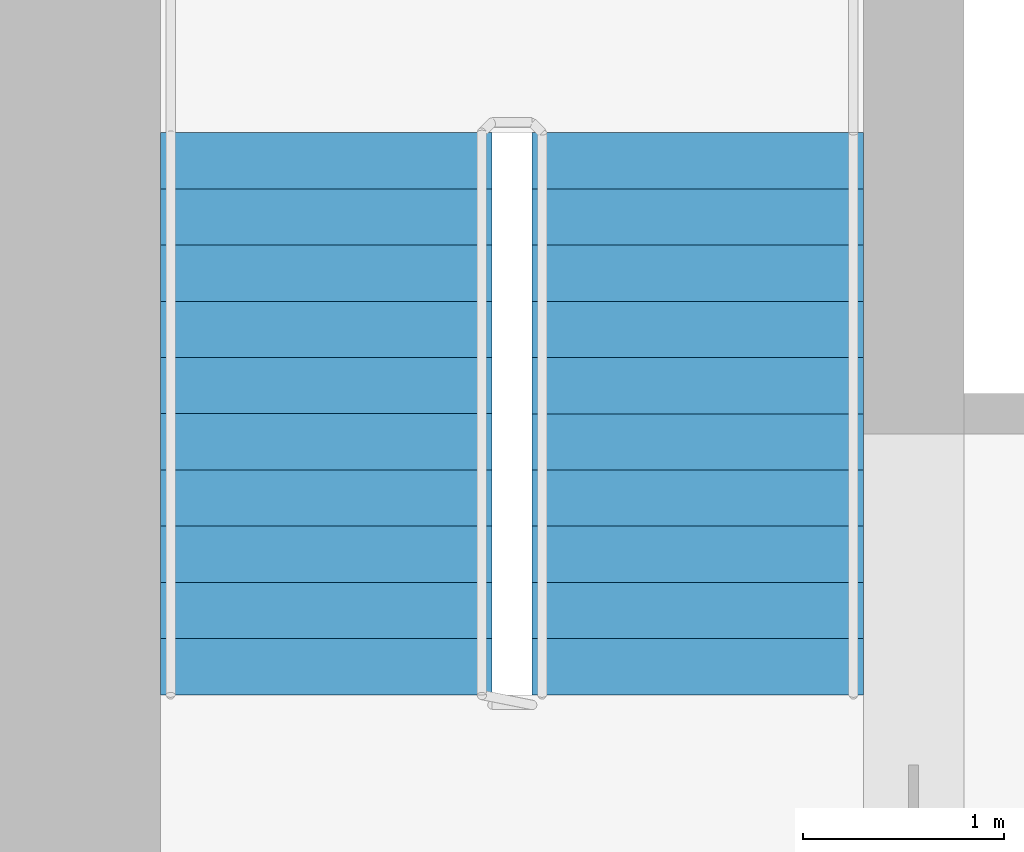
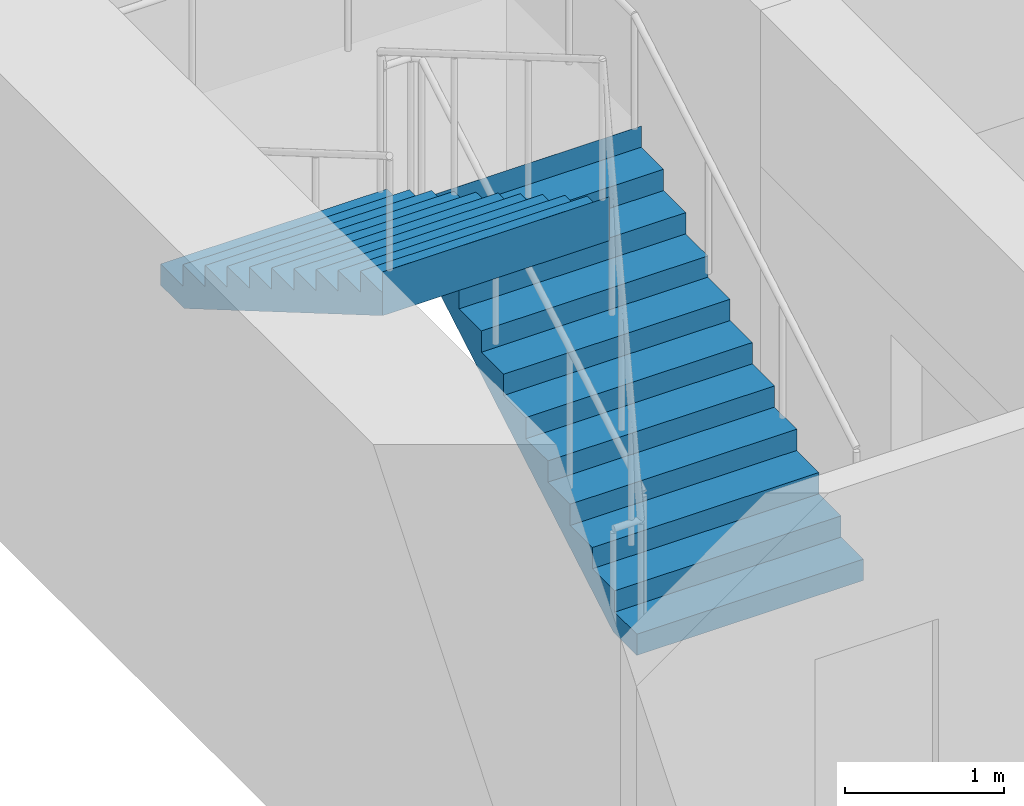
# One storey, part 13 of 14: 2 stair flights, 1 element without a shape of its own.
"""IFC4 building model written with IfcOpenShell, lengths in metres."""

from ifc_helpers import new_model, si_unit, direction, frame, origin, place, context, subcontext, project, spatial, polyline, outline, extrude, material, type_object, element, aggregate, save


model = new_model("IFC4")

# Units and contexts
model_context = context("Model", 3, precision=1e-05, world=origin(), true_north=direction((0.0, 1.0)))
body_context = subcontext(model_context, "Body", "Model", "MODEL_VIEW")
ifc_project = project(units=[si_unit("LENGTHUNIT", "METRE"), si_unit("AREAUNIT", "SQUARE_METRE"), si_unit("VOLUMEUNIT", "CUBIC_METRE"), si_unit("PLANEANGLEUNIT", "RADIAN"), si_unit("MASSUNIT", "GRAM", prefix="KILO")], contexts=[model_context])

# Site, building, storey
site_placement = place(None, origin())
site = spatial("IfcSite", under=ifc_project, at=site_placement, CompositionType="ELEMENT")
building_placement = place(site_placement, origin())
building = spatial("IfcBuilding", under=site, at=building_placement, Name="Tamorin Gate", CompositionType="ELEMENT")
storey_placement = place(building_placement, frame((0.0, 0.0, 41.199951171875)))
storey = spatial("IfcBuildingStorey", under=building, at=storey_placement, Name="L08", CompositionType="ELEMENT", Elevation=41.199951171875)

# Stair, stair flights
ifc_material = material(Name="Concrete C40/50", Category="concrete")
stair_type = type_object("IfcStairType", Name="Exit stair", PredefinedType="HALF_TURN_STAIR", material=ifc_material)
stair_placement = place(storey_placement, origin())
stair = element("IfcStair", 1, at=stair_placement, inside=storey, type_object=stair_type, Name="L08 stair ST2", PredefinedType="HALF_TURN_STAIR")
stair_flight_type = type_object("IfcStairFlightType", Name="Exit stair flight", PredefinedType="STRAIGHT", material=ifc_material)
stair_flight_1_placement = place(storey_placement, frame((33.675048828125, 77.0, 0.0), z_axis=(0.0, 0.0, 1.0), x_axis=(0.0, 1.0, 0.0)))
stair_flight_1 = element("IfcStairFlight", 2, at=stair_flight_1_placement, type_object=stair_flight_type, Name="ST2 flight 1", NumberOfRisers=11, NumberOfTreads=10, PredefinedType="STRAIGHT", RiserHeight=0.163636364, TreadLength=0.28, context=body_context, shape_type="SweptSolid", body=[
    extrude(outline(polyline([(-0.00048828125, 0.0), (-0.00048828125, 0.001708984375), (-0.00048828125, 0.003173828125), (-0.00048828125, 0.0048828125), (-0.00048828125, 0.006591796875), (-0.00048828125, 0.008056640625), (-0.00048828125, 0.009765625), (-0.00048828125, 0.01123046875), (-0.00048828125, 0.012939453125), (-0.00048828125, 0.0146484375), (-0.00048828125, 0.01611328125), (-0.00048828125, 0.017822265625), (-0.00048828125, 0.01953125), (-0.00048828125, 0.02099609375), (-0.00048828125, 0.022705078125), (-0.00048828125, 0.0244140625), (-0.00048828125, 0.02587890625), (-0.00048828125, 0.027587890625), (-0.00048828125, 0.029052734375), (-0.00048828125, 0.03076171875), (-0.00048828125, 0.032470703125), (-0.00048828125, 0.033935546875), (-0.00048828125, 0.03564453125), (-0.00048828125, 0.037353515625), (-0.00048828125, 0.038818359375), (-0.00048828125, 0.04052734375), (-0.00048828125, 0.042236328125), (-0.00048828125, 0.043701171875), (-0.00048828125, 0.04541015625), (-0.00048828125, 0.046875), (-0.00048828125, 0.048583984375), (-0.00048828125, 0.05029296875), (-0.00048828125, 0.0517578125), (-0.00048828125, 0.053466796875), (-0.00048828125, 0.05517578125), (-0.00048828125, 0.056640625), (-0.00048828125, 0.058349609375), (-0.00048828125, 0.06005859375), (-0.00048828125, 0.0615234375), (-0.00048828125, 0.063232421875), (-0.00048828125, 0.064697265625), (-0.00048828125, 0.06640625), (-0.00048828125, 0.068115234375), (-0.00048828125, 0.069580078125), (-0.00048828125, 0.0712890625), (-0.00048828125, 0.072998046875), (-0.00048828125, 0.074462890625), (-0.00048828125, 0.076171875), (-0.00048828125, 0.077880859375), (-0.00048828125, 0.079345703125), (-0.00048828125, 0.0810546875), (-0.00048828125, 0.08251953125), (-0.00048828125, 0.084228515625), (-0.00048828125, 0.0859375), (-0.00048828125, 0.08740234375), (-0.00048828125, 0.089111328125), (-0.00048828125, 0.0908203125), (-0.00048828125, 0.09228515625), (-0.00048828125, 0.093994140625), (-0.00048828125, 0.095703125), (-0.00048828125, 0.09716796875), (-0.00048828125, 0.098876953125), (-0.00048828125, 0.100341796875), (-0.00048828125, 0.10205078125), (-0.00048828125, 0.103759765625), (-0.00048828125, 0.105224609375), (-0.00048828125, 0.10693359375), (-0.00048828125, 0.108642578125), (-0.00048828125, 0.110107421875), (-0.00048828125, 0.11181640625), (-0.00048828125, 0.113525390625), (-0.00048828125, 0.114990234375), (-0.00048828125, 0.11669921875), (-0.00048828125, 0.1181640625), (-0.00048828125, 0.119873046875), (-0.00048828125, 0.12158203125), (-0.00048828125, 0.123046875), (-0.00048828125, 0.124755859375), (-0.00048828125, 0.12646484375), (-0.00048828125, 0.1279296875), (-0.00048828125, 0.129638671875), (-0.00048828125, 0.13134765625), (-0.00048828125, 0.1328125), (-0.00048828125, 0.134521484375), (-0.00048828125, 0.135986328125), (-0.00048828125, 0.1376953125), (-0.00048828125, 0.139404296875), (-0.00048828125, 0.140869140625), (-0.00048828125, 0.142578125), (-0.00048828125, 0.144287109375), (-0.00048828125, 0.145751953125), (-0.00048828125, 0.1474609375), (-0.00048828125, 0.149169921875), (-0.00048828125, 0.150634765625), (-0.00048828125, 0.15234375), (-0.00048828125, 0.15380859375), (-0.00048828125, 0.155517578125), (-0.00048828125, 0.1572265625), (-0.00048828125, 0.15869140625), (-0.00048828125, 0.160400390625), (-0.00048828125, 0.162109375), (-0.00048828125, 0.16357421875), (0.280029296875, 0.16357421875), (0.280029296875, 0.327392578125), (0.56005859375, 0.327392578125), (0.56005859375, 0.490966796875), (0.840087890625, 0.490966796875), (0.840087890625, 0.654541015625), (1.1201171875, 0.654541015625), (1.1201171875, 0.818115234375), (1.39990234375, 0.818115234375), (1.39990234375, 0.98193359375), (1.679931640625, 0.98193359375), (1.679931640625, 1.1455078125), (1.9599609375, 1.1455078125), (1.9599609375, 1.30908203125), (2.239990234375, 1.30908203125), (2.239990234375, 1.47265625), (2.52001953125, 1.47265625), (2.52001953125, 1.636474609375), (2.800048828125, 1.636474609375), (2.800048828125, 1.800048828125), (2.800537109375, 1.800048828125), (2.800537109375, 1.796630859375), (2.800537109375, 1.793212890625), (2.800537109375, 1.7900390625), (2.800537109375, 1.78662109375), (2.800537109375, 1.783203125), (2.800537109375, 1.780029296875), (2.800537109375, 1.776611328125), (2.800537109375, 1.773193359375), (2.800537109375, 1.77001953125), (2.800537109375, 1.7666015625), (2.800537109375, 1.76318359375), (2.800537109375, 1.760009765625), (2.800537109375, 1.756591796875), (2.800537109375, 1.753173828125), (2.800537109375, 1.75), (2.800537109375, 1.74658203125), (2.800537109375, 1.7431640625), (2.800537109375, 1.739990234375), (2.800537109375, 1.736572265625), (2.800537109375, 1.733154296875), (2.800537109375, 1.72998046875), (2.800537109375, 1.7265625), (2.800537109375, 1.72314453125), (2.800537109375, 1.719970703125), (2.800537109375, 1.716552734375), (2.800537109375, 1.713134765625), (2.800537109375, 1.7099609375), (2.800537109375, 1.70654296875), (2.800537109375, 1.703125), (2.800537109375, 1.69970703125), (2.800537109375, 1.696533203125), (2.800537109375, 1.693115234375), (2.800537109375, 1.689697265625), (2.800537109375, 1.6865234375), (2.800537109375, 1.68310546875), (2.800537109375, 1.6796875), (2.800537109375, 1.676513671875), (2.800537109375, 1.673095703125), (2.800537109375, 1.669677734375), (2.800537109375, 1.66650390625), (2.800537109375, 1.6630859375), (2.800537109375, 1.65966796875), (2.800537109375, 1.656494140625), (2.800537109375, 1.653076171875), (2.800537109375, 1.649658203125), (2.800537109375, 1.646484375), (2.800537109375, 1.64306640625), (2.800537109375, 1.6396484375), (2.800537109375, 1.636474609375), (2.800537109375, 1.633056640625), (2.800537109375, 1.629638671875), (2.800537109375, 1.62646484375), (2.800537109375, 1.623046875), (2.800537109375, 1.61962890625), (2.800537109375, 1.616455078125), (2.800537109375, 1.613037109375), (2.800537109375, 1.609619140625), (2.800537109375, 1.6064453125), (2.800537109375, 1.60302734375), (2.800537109375, 1.599609375), (2.800537109375, 1.59619140625), (2.800537109375, 1.593017578125), (2.800537109375, 1.589599609375), (2.800537109375, 1.586181640625), (2.800537109375, 1.5830078125), (2.800537109375, 1.57958984375), (2.800537109375, 1.576171875), (2.800537109375, 1.572998046875), (2.800537109375, 1.569580078125), (2.800537109375, 1.566162109375), (2.800537109375, 1.56298828125), (2.800537109375, 1.5595703125), (2.800537109375, 1.55615234375), (2.800537109375, 1.552978515625), (2.800537109375, 1.549560546875), (2.800537109375, 1.546142578125), (2.800537109375, 1.54296875), (2.800537109375, 1.53955078125), (2.800537109375, 1.5361328125), (2.800537109375, 1.532958984375), (2.800537109375, 1.529541015625), (2.800537109375, 1.526123046875), (2.800537109375, 1.52294921875), (2.800537109375, 1.51953125), (2.800537109375, 1.51611328125), (2.800537109375, 1.512939453125), (2.800537109375, 1.509521484375), (2.800537109375, 1.506103515625), (2.800537109375, 1.5029296875), (2.800537109375, 1.49951171875), (2.800537109375, 1.49609375), (2.800537109375, 1.49267578125), (2.800537109375, 1.489501953125), (2.800537109375, 1.486083984375), (2.800537109375, 1.482666015625), (2.800537109375, 1.4794921875), (2.800537109375, 1.47607421875), (2.800537109375, 1.47265625), (2.800537109375, 1.469482421875), (2.800537109375, 1.466064453125), (2.800537109375, 1.462646484375), (2.800048828125, 1.462646484375), (0.297119140625, 0.0), (-0.00048828125, 0.0)])), frame((0.0, 0.824951171875, 0.0), z_axis=(0.0, -1.0, 0.0), x_axis=(1.0, 0.0, 0.0)), (0.0, 0.0, 1.0), 1.64990234375),
])
stair_flight_2_placement = place(storey_placement, frame((31.824951171875, 79.800048828125, 1.800048828125), z_axis=(0.0, 0.0, 1.0), x_axis=(0.0, -1.0, 0.0)))
stair_flight_2 = element("IfcStairFlight", 3, at=stair_flight_2_placement, type_object=stair_flight_type, Name="ST2 flight 2", NumberOfRisers=11, NumberOfTreads=10, PredefinedType="STRAIGHT", RiserHeight=0.163636364, TreadLength=0.28, context=body_context, shape_type="SweptSolid", body=[
    extrude(outline(polyline([(-0.00048828125, 0.0), (-0.00048828125, 0.001708984375), (-0.00048828125, 0.003173828125), (-0.00048828125, 0.0048828125), (-0.00048828125, 0.006591796875), (-0.00048828125, 0.008056640625), (-0.00048828125, 0.009765625), (-0.00048828125, 0.01123046875), (-0.00048828125, 0.012939453125), (-0.00048828125, 0.0146484375), (-0.00048828125, 0.01611328125), (-0.00048828125, 0.017822265625), (-0.00048828125, 0.01953125), (-0.00048828125, 0.02099609375), (-0.00048828125, 0.022705078125), (-0.00048828125, 0.0244140625), (-0.00048828125, 0.02587890625), (-0.00048828125, 0.027587890625), (-0.00048828125, 0.029052734375), (-0.00048828125, 0.03076171875), (-0.00048828125, 0.032470703125), (-0.00048828125, 0.033935546875), (-0.00048828125, 0.03564453125), (-0.00048828125, 0.037353515625), (-0.00048828125, 0.038818359375), (-0.00048828125, 0.04052734375), (-0.00048828125, 0.042236328125), (-0.00048828125, 0.043701171875), (-0.00048828125, 0.04541015625), (-0.00048828125, 0.046875), (-0.00048828125, 0.048583984375), (-0.00048828125, 0.05029296875), (-0.00048828125, 0.0517578125), (-0.00048828125, 0.053466796875), (-0.00048828125, 0.05517578125), (-0.00048828125, 0.056640625), (-0.00048828125, 0.058349609375), (-0.00048828125, 0.06005859375), (-0.00048828125, 0.0615234375), (-0.00048828125, 0.063232421875), (-0.00048828125, 0.064697265625), (-0.00048828125, 0.06640625), (-0.00048828125, 0.068115234375), (-0.00048828125, 0.069580078125), (-0.00048828125, 0.0712890625), (-0.00048828125, 0.072998046875), (-0.00048828125, 0.074462890625), (-0.00048828125, 0.076171875), (-0.00048828125, 0.077880859375), (-0.00048828125, 0.079345703125), (-0.00048828125, 0.0810546875), (-0.00048828125, 0.08251953125), (-0.00048828125, 0.084228515625), (-0.00048828125, 0.0859375), (-0.00048828125, 0.08740234375), (-0.00048828125, 0.089111328125), (-0.00048828125, 0.0908203125), (-0.00048828125, 0.09228515625), (-0.00048828125, 0.093994140625), (-0.00048828125, 0.095703125), (-0.00048828125, 0.09716796875), (-0.00048828125, 0.098876953125), (-0.00048828125, 0.100341796875), (-0.00048828125, 0.10205078125), (-0.00048828125, 0.103759765625), (-0.00048828125, 0.105224609375), (-0.00048828125, 0.10693359375), (-0.00048828125, 0.108642578125), (-0.00048828125, 0.110107421875), (-0.00048828125, 0.11181640625), (-0.00048828125, 0.113525390625), (-0.00048828125, 0.114990234375), (-0.00048828125, 0.11669921875), (-0.00048828125, 0.1181640625), (-0.00048828125, 0.119873046875), (-0.00048828125, 0.12158203125), (-0.00048828125, 0.123046875), (-0.00048828125, 0.124755859375), (-0.00048828125, 0.12646484375), (-0.00048828125, 0.1279296875), (-0.00048828125, 0.129638671875), (-0.00048828125, 0.13134765625), (-0.00048828125, 0.1328125), (-0.00048828125, 0.134521484375), (-0.00048828125, 0.135986328125), (-0.00048828125, 0.1376953125), (-0.00048828125, 0.139404296875), (-0.00048828125, 0.140869140625), (-0.00048828125, 0.142578125), (-0.00048828125, 0.144287109375), (-0.00048828125, 0.145751953125), (-0.00048828125, 0.1474609375), (-0.00048828125, 0.149169921875), (-0.00048828125, 0.150634765625), (-0.00048828125, 0.15234375), (-0.00048828125, 0.15380859375), (-0.00048828125, 0.155517578125), (-0.00048828125, 0.1572265625), (-0.00048828125, 0.15869140625), (-0.00048828125, 0.160400390625), (-0.00048828125, 0.162109375), (-0.00048828125, 0.16357421875), (0.280029296875, 0.16357421875), (0.280029296875, 0.327392578125), (0.56005859375, 0.327392578125), (0.56005859375, 0.490966796875), (0.840087890625, 0.490966796875), (0.840087890625, 0.654541015625), (1.1201171875, 0.654541015625), (1.1201171875, 0.818115234375), (1.39990234375, 0.818115234375), (1.39990234375, 0.98193359375), (1.679931640625, 0.98193359375), (1.679931640625, 1.1455078125), (1.9599609375, 1.1455078125), (1.9599609375, 1.30908203125), (2.239990234375, 1.30908203125), (2.239990234375, 1.47265625), (2.52001953125, 1.47265625), (2.52001953125, 1.636474609375), (2.800048828125, 1.636474609375), (2.800048828125, 1.800048828125), (2.800537109375, 1.800048828125), (2.800537109375, 1.796630859375), (2.800537109375, 1.793212890625), (2.800537109375, 1.7900390625), (2.800537109375, 1.78662109375), (2.800537109375, 1.783203125), (2.800537109375, 1.780029296875), (2.800537109375, 1.776611328125), (2.800537109375, 1.773193359375), (2.800537109375, 1.77001953125), (2.800537109375, 1.7666015625), (2.800537109375, 1.76318359375), (2.800537109375, 1.760009765625), (2.800537109375, 1.756591796875), (2.800537109375, 1.753173828125), (2.800537109375, 1.75), (2.800537109375, 1.74658203125), (2.800537109375, 1.7431640625), (2.800537109375, 1.739990234375), (2.800537109375, 1.736572265625), (2.800537109375, 1.733154296875), (2.800537109375, 1.72998046875), (2.800537109375, 1.7265625), (2.800537109375, 1.72314453125), (2.800537109375, 1.719970703125), (2.800537109375, 1.716552734375), (2.800537109375, 1.713134765625), (2.800537109375, 1.7099609375), (2.800537109375, 1.70654296875), (2.800537109375, 1.703125), (2.800537109375, 1.69970703125), (2.800537109375, 1.696533203125), (2.800537109375, 1.693115234375), (2.800537109375, 1.689697265625), (2.800537109375, 1.6865234375), (2.800537109375, 1.68310546875), (2.800537109375, 1.6796875), (2.800537109375, 1.676513671875), (2.800537109375, 1.673095703125), (2.800537109375, 1.669677734375), (2.800537109375, 1.66650390625), (2.800537109375, 1.6630859375), (2.800537109375, 1.65966796875), (2.800537109375, 1.656494140625), (2.800537109375, 1.653076171875), (2.800537109375, 1.649658203125), (2.800537109375, 1.646484375), (2.800537109375, 1.64306640625), (2.800537109375, 1.6396484375), (2.800537109375, 1.636474609375), (2.800537109375, 1.633056640625), (2.800537109375, 1.629638671875), (2.800537109375, 1.62646484375), (2.800537109375, 1.623046875), (2.800537109375, 1.61962890625), (2.800537109375, 1.616455078125), (2.800537109375, 1.613037109375), (2.800537109375, 1.609619140625), (2.800537109375, 1.6064453125), (2.800537109375, 1.60302734375), (2.800537109375, 1.599609375), (2.800537109375, 1.59619140625), (2.800537109375, 1.593017578125), (2.800537109375, 1.589599609375), (2.800537109375, 1.586181640625), (2.800537109375, 1.5830078125), (2.800537109375, 1.57958984375), (2.800537109375, 1.576171875), (2.800537109375, 1.572998046875), (2.800537109375, 1.569580078125), (2.800537109375, 1.566162109375), (2.800537109375, 1.56298828125), (2.800537109375, 1.5595703125), (2.800537109375, 1.55615234375), (2.800537109375, 1.552978515625), (2.800537109375, 1.549560546875), (2.800537109375, 1.546142578125), (2.800537109375, 1.54296875), (2.800537109375, 1.53955078125), (2.800537109375, 1.5361328125), (2.800537109375, 1.532958984375), (2.800537109375, 1.529541015625), (2.800537109375, 1.526123046875), (2.800537109375, 1.52294921875), (2.800537109375, 1.51953125), (2.800537109375, 1.51611328125), (2.800537109375, 1.512939453125), (2.800537109375, 1.509521484375), (2.800537109375, 1.506103515625), (2.800537109375, 1.5029296875), (2.800537109375, 1.49951171875), (2.800537109375, 1.49609375), (2.800537109375, 1.49267578125), (2.800537109375, 1.489501953125), (2.800537109375, 1.486083984375), (2.800537109375, 1.482666015625), (2.800537109375, 1.4794921875), (2.800537109375, 1.47607421875), (2.800537109375, 1.47265625), (2.800537109375, 1.469482421875), (2.800537109375, 1.466064453125), (2.800537109375, 1.462646484375), (2.800048828125, 1.462646484375), (0.297119140625, 0.0), (-0.00048828125, 0.0)])), frame((0.0, 0.824951171875, 0.0), z_axis=(0.0, -1.0, 0.0), x_axis=(1.0, 0.0, 0.0)), (0.0, 0.0, 1.0), 1.64990234375),
])
aggregate(stair, [stair_flight_1, stair_flight_2])

save(model, "model.ifc")
